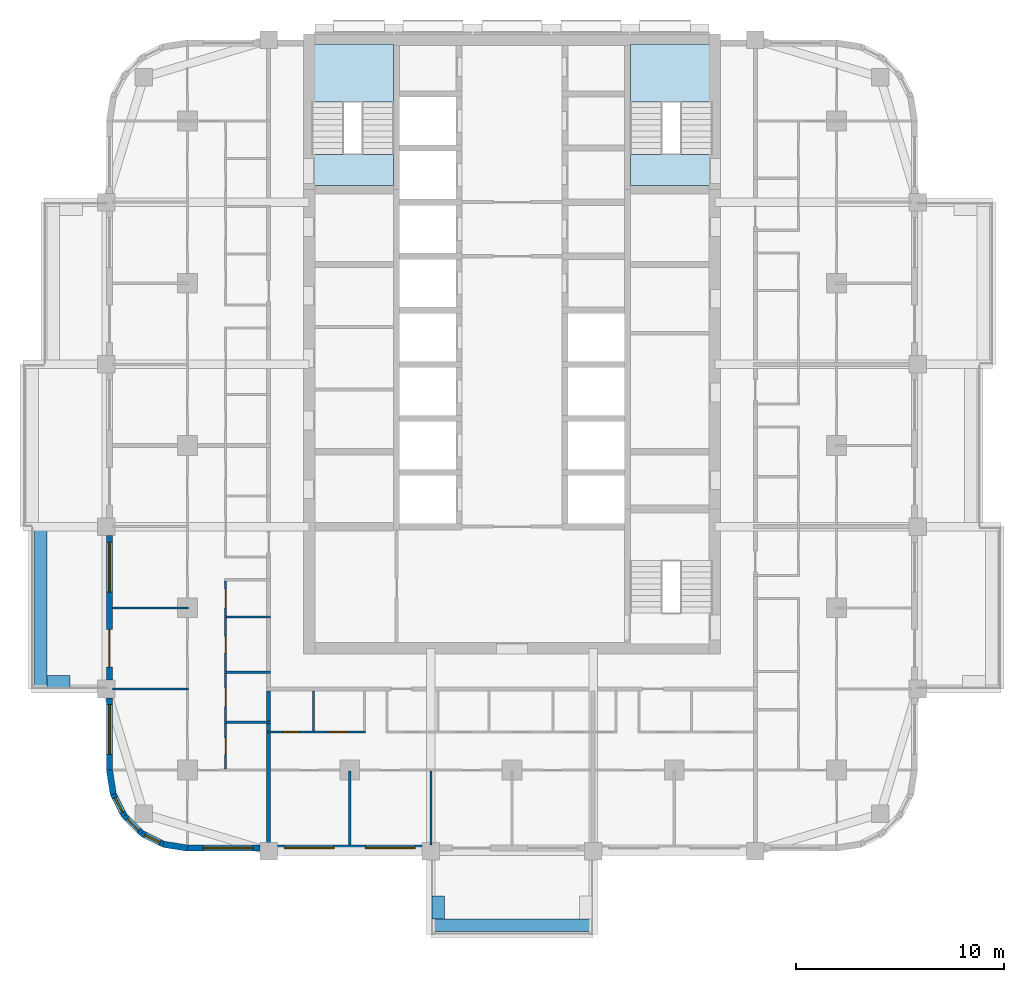
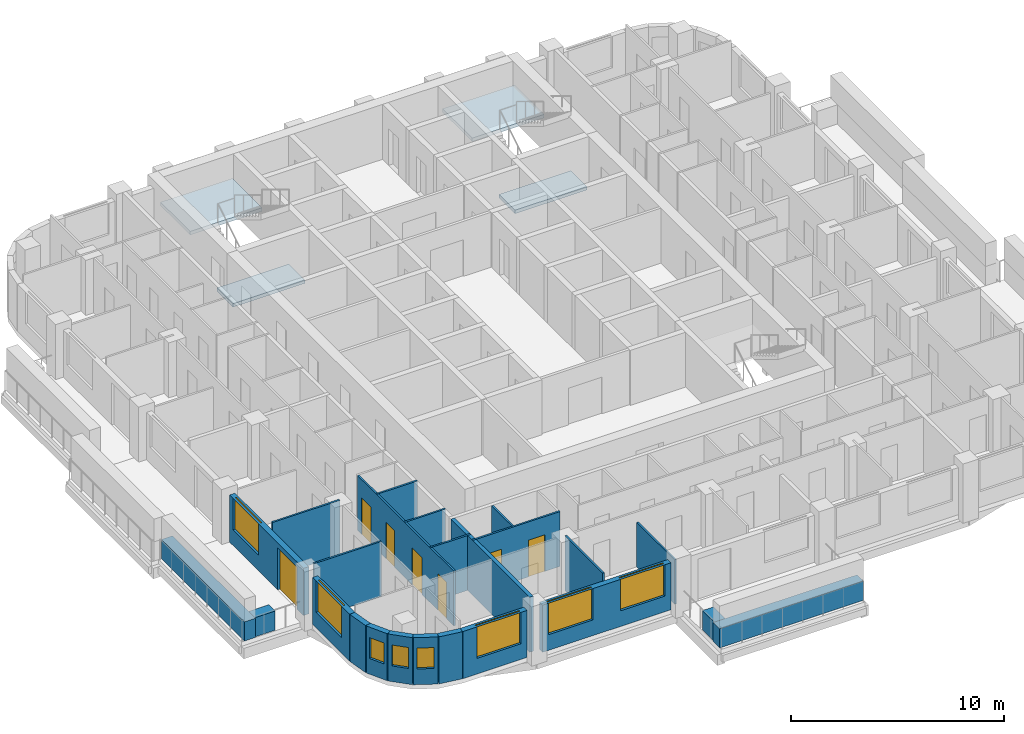
# One storey, part 2 of 14: 24 walls, 8 windows, 7 doors, 4 slabs, 15 openings, 2 elements without a shape of their own.
"""IFC4 building model written with IfcOpenShell, lengths in metres."""

from ifc_helpers import new_model, si_unit, direction, frame, frame_2d, origin, place, context, subcontext, project, spatial, polyline, rectangle, outline, extrude, material, layer, layer_set, type_object, element, fill, aggregate, save


model = new_model("IFC4")

# Units and contexts
model_context = context("Model", 3, precision=1e-05, world=origin(), true_north=direction((0.0, 1.0)))
body_context = subcontext(model_context, "Body", "Model", "MODEL_VIEW")
ifc_project = project(units=[si_unit("LENGTHUNIT", "METRE"), si_unit("AREAUNIT", "SQUARE_METRE"), si_unit("VOLUMEUNIT", "CUBIC_METRE"), si_unit("PLANEANGLEUNIT", "RADIAN"), si_unit("MASSUNIT", "GRAM", prefix="KILO")], contexts=[model_context])

# Site, building, storey
site_placement = place(None, origin())
site = spatial("IfcSite", under=ifc_project, at=site_placement, CompositionType="ELEMENT")
building_placement = place(site_placement, origin())
building = spatial("IfcBuilding", under=site, at=building_placement, Name="Ludao Terraces", CompositionType="ELEMENT")
storey_placement = place(building_placement, frame((0.0, 0.0, 106.699951171875)))
storey = spatial("IfcBuildingStorey", under=building, at=storey_placement, Name="L29", CompositionType="ELEMENT", Elevation=106.699951171875)

# Stair, slabs
ifc_material_1 = material(Name="Concrete C40", Category="concrete")
stair_type = type_object("IfcStairType", Name="INT Stair", PredefinedType="HALF_TURN_STAIR", material=ifc_material_1)
stair_1_placement = place(storey_placement, origin())
stair_1 = element("IfcStair", 1, at=stair_1_placement, inside=storey, type_object=stair_type, Name="EXIT STAIR 1", PredefinedType="HALF_TURN_STAIR")
ifc_layer_1 = layer(ifc_material_1, 0.199951171875)
ifc_layer_set_1 = layer_set([ifc_layer_1], Name="INT Stair landing 200")
slab_type = type_object("IfcSlabType", Name="INT Stair landing 200", PredefinedType="LANDING", material=ifc_layer_set_1)
slab_1_placement = place(storey_placement, frame((0.0, 0.0, 1.5)))
slab_1 = element("IfcSlab", 2, at=slab_1_placement, type_object=slab_type, Name="ST1 landing 1", PredefinedType="LANDING", context=body_context, shape_type="SweptSolid", body=[
    extrude(outline(polyline([(75.39990234375, 81.52001953125), (79.300048828125, 81.52001953125), (79.300048828125, 84.300048828125), (75.39990234375, 84.300048828125), (75.39990234375, 81.52001953125)])), origin(), (0.0, 0.0, 1.0), 0.199951171875),
])
slab_2_placement = place(storey_placement, frame((0.0, 0.0, -0.199951171875)))
slab_2 = element("IfcSlab", 3, at=slab_2_placement, type_object=slab_type, Name="ST1 landing 2", PredefinedType="LANDING", context=body_context, shape_type="SweptSolid", body=[
    extrude(outline(polyline([(75.39990234375, 77.5), (79.300048828125, 77.5), (79.300048828125, 79.0), (75.39990234375, 79.0), (75.39990234375, 77.5)])), origin(), (0.0, 0.0, 1.0), 0.199951171875),
])
aggregate(stair_1, [slab_1, slab_2])

stair_2_placement = place(storey_placement, origin())
stair_2 = element("IfcStair", 4, at=stair_2_placement, inside=storey, type_object=stair_type, Name="EXIT STAIR 2", PredefinedType="HALF_TURN_STAIR")
slab_3_placement = place(storey_placement, frame((0.0, 0.0, 1.5)))
slab_3 = element("IfcSlab", 5, at=slab_3_placement, type_object=slab_type, Name="ST2 landing 1", PredefinedType="LANDING", context=body_context, shape_type="SweptSolid", body=[
    extrude(outline(polyline([(90.699951171875, 81.52001953125), (94.60009765625, 81.52001953125), (94.60009765625, 84.300048828125), (90.699951171875, 84.300048828125), (90.699951171875, 81.52001953125)])), origin(), (0.0, 0.0, 1.0), 0.199951171875),
])
slab_4_placement = place(storey_placement, frame((0.0, 0.0, -0.199951171875)))
slab_4 = element("IfcSlab", 6, at=slab_4_placement, type_object=slab_type, Name="ST2 landing 2", PredefinedType="LANDING", context=body_context, shape_type="SweptSolid", body=[
    extrude(outline(polyline([(90.699951171875, 77.5), (94.60009765625, 77.5), (94.60009765625, 79.0), (90.699951171875, 79.0), (90.699951171875, 77.5)])), origin(), (0.0, 0.0, 1.0), 0.199951171875),
])
aggregate(stair_2, [slab_3, slab_4])

# Walls
ifc_layer_2 = layer(ifc_material_1, 0.60009765625)
ifc_layer_set_2 = layer_set([ifc_layer_2], Name="ENV Planter trough 600")
wall_type_1 = type_object("IfcWallType", Name="ENV Planter trough 600", PredefinedType="USERDEFINED", material=ifc_layer_set_2)
wall_1_placement = place(storey_placement, frame((81.10009765625, 41.949951171875, 0.0), z_axis=(0.0, 0.0, 1.0), x_axis=(1.0, 0.0, 0.0)))
element("IfcWall", 7, at=wall_1_placement, inside=storey, type_object=wall_type_1, Name="PL-L29-S1", ObjectType="PLANTER", PredefinedType="USERDEFINED", context=body_context, shape_type="SweptSolid", body=[
    extrude(rectangle(XDim=7.7998046875, YDim=0.60009765625, at=frame_2d((3.89990234375, 0.0))), origin(), (0.0, 0.0, 1.0), 1.10009765625),
])
wall_2_placement = place(storey_placement, frame((81.449951171875, 42.25, 0.0), z_axis=(0.0, 0.0, 1.0), x_axis=(0.0, 1.0, 0.0)))
element("IfcWall", 8, at=wall_2_placement, inside=storey, type_object=wall_type_1, Name="PL-L29-S1-SA", ObjectType="PLANTER", PredefinedType="USERDEFINED", context=body_context, shape_type="SweptSolid", body=[
    extrude(rectangle(XDim=1.10009765625, YDim=0.60009765625, at=frame_2d((0.550048828125, 0.0))), origin(), (0.0, 0.0, 1.0), 1.10009765625),
])
wall_3_placement = place(storey_placement, frame((62.35009765625, 53.300048828125, 0.0), z_axis=(0.0, 0.0, 1.0), x_axis=(0.0, 1.0, 0.0)))
element("IfcWall", 9, at=wall_3_placement, inside=storey, type_object=wall_type_1, Name="PL-L29-W1", ObjectType="PLANTER", PredefinedType="USERDEFINED", context=body_context, shape_type="SweptSolid", body=[
    extrude(rectangle(XDim=7.800048828125, YDim=0.60009765625, at=frame_2d((3.89990234375, 0.0))), origin(), (0.0, 0.0, 1.0), 1.10009765625),
])
wall_4_placement = place(storey_placement, frame((62.64990234375, 53.64990234375, 0.0), z_axis=(0.0, 0.0, 1.0), x_axis=(1.0, 0.0, 0.0)))
element("IfcWall", 10, at=wall_4_placement, inside=storey, type_object=wall_type_1, Name="PL-L29-W1-SA", ObjectType="PLANTER", PredefinedType="USERDEFINED", context=body_context, shape_type="SweptSolid", body=[
    extrude(rectangle(XDim=1.10009765625, YDim=0.60009765625, at=frame_2d((0.550048828125, 0.0))), origin(), (0.0, 0.0, 1.0), 1.10009765625),
])

# Wall, opening, window
ifc_material_2 = material(Name="Granite cladding", Category="masonry")
ifc_layer_3 = layer(ifc_material_2, 0.0400390625, Category="stone")
ifc_material_3 = material(Name="Mineral wool")
ifc_layer_4 = layer(ifc_material_3, 0.06005859375)
ifc_layer_5 = layer(ifc_material_1, 0.199951171875, Category="concrete")
ifc_layer_set_3 = layer_set([ifc_layer_3, ifc_layer_4, ifc_layer_5], Name="ENV Stone-clad wall 300")
wall_type_2 = type_object("IfcWallType", Name="ENV Stone-clad wall 300", PredefinedType="SOLIDWALL", material=ifc_layer_set_3)
wall_5_placement = place(storey_placement, frame((69.39990234375, 45.64990234375, 0.0), z_axis=(0.0, 0.0, 1.0), x_axis=(1.0, 0.0, 0.0)))
wall_5 = element("IfcWall", 11, at=wall_5_placement, inside=storey, type_object=wall_type_2, Name="EW-L29-S1", PredefinedType="SOLIDWALL", context=body_context, shape_type="SweptSolid", body=[
    extrude(rectangle(XDim=3.47509765625, YDim=0.300048828125, at=frame_2d((1.737548828125, 0.0))), origin(), (0.0, 0.0, 1.0), 2.699951171875),
])
opening_1_placement = place(wall_5_placement, frame((0.75, 0.0, 0.89990234375)))
opening_1 = element("IfcOpeningElement", 12, at=opening_1_placement, cuts=wall_5, Name="Opening W1", PredefinedType="OPENING", context=body_context, shape_type="SweptSolid", body=[
    extrude(rectangle(XDim=2.39990234375, YDim=1.800048828125, at=frame_2d((1.199951171875, 0.89990234375))), frame((0.0, 0.16015625, 0.0), z_axis=(0.0, -1.0, 0.0), x_axis=(1.0, 0.0, 0.0)), (0.0, 0.0, 1.0), 0.320068359375),
])
ifc_material_4 = material(Name="Clear glass in aluminium frame", Category="aluminium")
ifc_layer_6 = layer(ifc_material_4, 0.06005859375)
ifc_layer_set_4 = layer_set([ifc_layer_6], Name="ENV Window W1 2400x1800")
window_type_1 = type_object("IfcWindowType", Name="ENV Window W1 2400x1800", PartitioningType="DOUBLE_PANEL_VERTICAL", PredefinedType="WINDOW", material=ifc_layer_set_4)
window_1_placement = place(opening_1_placement, origin())
window_1 = element("IfcWindow", 13, at=window_1_placement, inside=storey, type_object=window_type_1, Name="W-L29-S1-1", OverallHeight=1.800048828125, OverallWidth=2.39990234375, PartitioningType="DOUBLE_PANEL_VERTICAL", PredefinedType="WINDOW", context=body_context, shape_type="SweptSolid", body=[
    extrude(rectangle(XDim=2.39990234375, YDim=1.800048828125, at=frame_2d((1.199951171875, 0.89990234375))), frame((0.0, 0.030029296875, 0.0), z_axis=(0.0, -1.0, 0.0), x_axis=(1.0, 0.0, 0.0)), (0.0, 0.0, 1.0), 0.06005859375),
])
fill(opening_1, window_1)

# Wall, openings, windows
wall_6_placement = place(storey_placement, frame((73.72509765625, 45.64990234375, 0.0), z_axis=(0.0, 0.0, 1.0), x_axis=(1.0, 0.0, 0.0)))
wall_6 = element("IfcWall", 14, at=wall_6_placement, inside=storey, type_object=wall_type_2, Name="EW-L29-S2", PredefinedType="SOLIDWALL", context=body_context, shape_type="SweptSolid", body=[
    extrude(rectangle(XDim=6.949951171875, YDim=0.300048828125, at=frame_2d((3.47509765625, 0.0))), origin(), (0.0, 0.0, 1.0), 2.699951171875),
])
opening_2_placement = place(wall_6_placement, frame((0.324951171875, 0.0, 0.89990234375)))
opening_2 = element("IfcOpeningElement", 15, at=opening_2_placement, cuts=wall_6, Name="Opening W1", PredefinedType="OPENING", context=body_context, shape_type="SweptSolid", body=[
    extrude(rectangle(XDim=2.39990234375, YDim=1.800048828125, at=frame_2d((1.199951171875, 0.89990234375))), frame((0.0, 0.16015625, 0.0), z_axis=(0.0, -1.0, 0.0), x_axis=(1.0, 0.0, 0.0)), (0.0, 0.0, 1.0), 0.320068359375),
])
opening_3_placement = place(wall_6_placement, frame((4.22509765625, 0.0, 0.89990234375)))
opening_3 = element("IfcOpeningElement", 16, at=opening_3_placement, cuts=wall_6, Name="Opening W1", PredefinedType="OPENING", context=body_context, shape_type="SweptSolid", body=[
    extrude(rectangle(XDim=2.39990234375, YDim=1.800048828125, at=frame_2d((1.199951171875, 0.89990234375))), frame((0.0, 0.16015625, 0.0), z_axis=(0.0, -1.0, 0.0), x_axis=(1.0, 0.0, 0.0)), (0.0, 0.0, 1.0), 0.320068359375),
])
window_2_placement = place(opening_2_placement, origin())
window_2 = element("IfcWindow", 17, at=window_2_placement, inside=storey, type_object=window_type_1, Name="W-L29-S2-1", OverallHeight=1.800048828125, OverallWidth=2.39990234375, PartitioningType="DOUBLE_PANEL_VERTICAL", PredefinedType="WINDOW", context=body_context, shape_type="SweptSolid", body=[
    extrude(rectangle(XDim=2.39990234375, YDim=1.800048828125, at=frame_2d((1.199951171875, 0.89990234375))), frame((0.0, 0.030029296875, 0.0), z_axis=(0.0, -1.0, 0.0), x_axis=(1.0, 0.0, 0.0)), (0.0, 0.0, 1.0), 0.06005859375),
])
fill(opening_2, window_2)
window_3_placement = place(opening_3_placement, origin())
window_3 = element("IfcWindow", 18, at=window_3_placement, inside=storey, type_object=window_type_1, Name="W-L29-S2-2", OverallHeight=1.800048828125, OverallWidth=2.39990234375, PartitioningType="DOUBLE_PANEL_VERTICAL", PredefinedType="WINDOW", context=body_context, shape_type="SweptSolid", body=[
    extrude(rectangle(XDim=2.39990234375, YDim=1.800048828125, at=frame_2d((1.199951171875, 0.89990234375))), frame((0.0, 0.030029296875, 0.0), z_axis=(0.0, -1.0, 0.0), x_axis=(1.0, 0.0, 0.0)), (0.0, 0.0, 1.0), 0.06005859375),
])
fill(opening_3, window_3)

# Wall, opening, window
wall_7_placement = place(storey_placement, frame((65.64990234375, 49.39990234375, 0.0), z_axis=(0.0, 0.0, 1.0), x_axis=(0.0, 1.0, 0.0)))
wall_7 = element("IfcWall", 19, at=wall_7_placement, inside=storey, type_object=wall_type_2, Name="EW-L29-W1", PredefinedType="SOLIDWALL", context=body_context, shape_type="SweptSolid", body=[
    extrude(rectangle(XDim=3.47509765625, YDim=0.300048828125, at=frame_2d((1.737548828125, 0.0))), origin(), (0.0, 0.0, 1.0), 2.699951171875),
])
opening_4_placement = place(wall_7_placement, frame((0.75, 0.0, 0.89990234375)))
opening_4 = element("IfcOpeningElement", 20, at=opening_4_placement, cuts=wall_7, Name="Opening W1", PredefinedType="OPENING", context=body_context, shape_type="SweptSolid", body=[
    extrude(rectangle(XDim=2.39990234375, YDim=1.800048828125, at=frame_2d((1.199951171875, 0.89990234375))), frame((0.0, 0.16015625, 0.0), z_axis=(0.0, -1.0, 0.0), x_axis=(1.0, 0.0, 0.0)), (0.0, 0.0, 1.0), 0.320068359375),
])
window_4_placement = place(opening_4_placement, origin())
window_4 = element("IfcWindow", 21, at=window_4_placement, inside=storey, type_object=window_type_1, Name="W-L29-W1-1", OverallHeight=1.800048828125, OverallWidth=2.39990234375, PartitioningType="DOUBLE_PANEL_VERTICAL", PredefinedType="WINDOW", context=body_context, shape_type="SweptSolid", body=[
    extrude(rectangle(XDim=2.39990234375, YDim=1.800048828125, at=frame_2d((1.199951171875, 0.89990234375))), frame((0.0, 0.030029296875, 0.0), z_axis=(0.0, -1.0, 0.0), x_axis=(1.0, 0.0, 0.0)), (0.0, 0.0, 1.0), 0.06005859375),
])
fill(opening_4, window_4)

# Wall, openings, door, window
wall_8_placement = place(storey_placement, frame((65.64990234375, 53.72509765625, 0.0), z_axis=(0.0, 0.0, 1.0), x_axis=(0.0, 1.0, 0.0)))
wall_8 = element("IfcWall", 22, at=wall_8_placement, inside=storey, type_object=wall_type_2, Name="EW-L29-W2", PredefinedType="SOLIDWALL", context=body_context, shape_type="SweptSolid", body=[
    extrude(rectangle(XDim=6.949951171875, YDim=0.300048828125, at=frame_2d((3.47509765625, 0.0))), origin(), (0.0, 0.0, 1.0), 2.699951171875),
])
opening_5_placement = place(wall_8_placement, frame((0.625, 0.0, 0.0)))
opening_5 = element("IfcOpeningElement", 23, at=opening_5_placement, cuts=wall_8, Name="Opening BD", PredefinedType="OPENING", context=body_context, shape_type="SweptSolid", body=[
    extrude(rectangle(XDim=1.800048828125, YDim=2.39990234375, at=frame_2d((0.89990234375, 1.199951171875))), frame((0.0, 0.16015625, 0.0), z_axis=(0.0, -1.0, 0.0), x_axis=(1.0, 0.0, 0.0)), (0.0, 0.0, 1.0), 0.320068359375),
])
opening_6_placement = place(wall_8_placement, frame((4.22509765625, 0.0, 0.89990234375)))
opening_6 = element("IfcOpeningElement", 24, at=opening_6_placement, cuts=wall_8, Name="Opening W1", PredefinedType="OPENING", context=body_context, shape_type="SweptSolid", body=[
    extrude(rectangle(XDim=2.39990234375, YDim=1.800048828125, at=frame_2d((1.199951171875, 0.89990234375))), frame((0.0, 0.16015625, 0.0), z_axis=(0.0, -1.0, 0.0), x_axis=(1.0, 0.0, 0.0)), (0.0, 0.0, 1.0), 0.320068359375),
])
ifc_material_5 = material(Name="Aluminium glazed door", Category="aluminium")
ifc_layer_7 = layer(ifc_material_5, 0.06005859375)
ifc_layer_set_5 = layer_set([ifc_layer_7], Name="ENV Balcony door BD 1800x2400")
door_type_1 = type_object("IfcDoorType", Name="ENV Balcony door BD 1800x2400", OperationType="DOUBLE_DOOR_SINGLE_SWING", PredefinedType="DOOR", material=ifc_layer_set_5)
door_1_placement = place(opening_5_placement, origin())
door_1 = element("IfcDoor", 25, at=door_1_placement, inside=storey, type_object=door_type_1, Name="BD-L29-W2-1", OperationType="DOUBLE_DOOR_SINGLE_SWING", OverallHeight=2.39990234375, OverallWidth=1.800048828125, PredefinedType="DOOR", context=body_context, shape_type="SweptSolid", body=[
    extrude(rectangle(XDim=1.800048828125, YDim=2.39990234375, at=frame_2d((0.89990234375, 1.199951171875))), frame((0.0, 0.02490234375, 0.0), z_axis=(0.0, -1.0, 0.0), x_axis=(1.0, 0.0, 0.0)), (0.0, 0.0, 1.0), 0.050048828125),
])
fill(opening_5, door_1)
window_5_placement = place(opening_6_placement, origin())
window_5 = element("IfcWindow", 26, at=window_5_placement, inside=storey, type_object=window_type_1, Name="W-L29-W2-2", OverallHeight=1.800048828125, OverallWidth=2.39990234375, PartitioningType="DOUBLE_PANEL_VERTICAL", PredefinedType="WINDOW", context=body_context, shape_type="SweptSolid", body=[
    extrude(rectangle(XDim=2.39990234375, YDim=1.800048828125, at=frame_2d((1.199951171875, 0.89990234375))), frame((0.0, 0.030029296875, 0.0), z_axis=(0.0, -1.0, 0.0), x_axis=(1.0, 0.0, 0.0)), (0.0, 0.0, 1.0), 0.06005859375),
])
fill(opening_6, window_5)

# Wall
wall_9_placement = place(storey_placement, frame((65.64990234375, 49.39990234375, 0.0), z_axis=(0.0, 0.0, 1.0), x_axis=(0.156496880861, -0.987678452879, 0.0)))
element("IfcWall", 27, at=wall_9_placement, inside=storey, type_object=wall_type_2, Name="EW-L29-SW1", PredefinedType="SOLIDWALL", context=body_context, shape_type="SweptSolid", body=[
    extrude(rectangle(XDim=1.173095703125, YDim=0.300048828125, at=frame_2d((0.58642578125, 0.0))), origin(), (0.0, 0.0, 1.0), 2.699951171875),
])

# Wall, opening, window
wall_10_placement = place(storey_placement, frame((65.83349609375, 48.2412109375, 0.0), z_axis=(0.0, 0.0, 1.0), x_axis=(0.454025524128, -0.890988677504, 0.0)))
wall_10 = element("IfcWall", 28, at=wall_10_placement, inside=storey, type_object=wall_type_2, Name="EW-L29-SW2", PredefinedType="SOLIDWALL", context=body_context, shape_type="SweptSolid", body=[
    extrude(rectangle(XDim=1.17333984375, YDim=0.300048828125, at=frame_2d((0.586669921875, 0.0))), origin(), (0.0, 0.0, 1.0), 2.699951171875),
])
opening_7_placement = place(wall_10_placement, frame((0.1865234375, 0.0, 0.89990234375)))
opening_7 = element("IfcOpeningElement", 29, at=opening_7_placement, cuts=wall_10, Name="Opening W3", PredefinedType="OPENING", context=body_context, shape_type="SweptSolid", body=[
    extrude(rectangle(XDim=0.800048828125, YDim=1.199951171875, at=frame_2d((0.39990234375, 0.60009765625))), frame((0.0, 0.16015625, 0.0), z_axis=(0.0, -1.0, 0.0), x_axis=(1.0, 0.0, 0.0)), (0.0, 0.0, 1.0), 0.320068359375),
])
ifc_layer_8 = layer(ifc_material_4, 0.06005859375)
ifc_layer_set_6 = layer_set([ifc_layer_8], Name="ENV Window W3 800x1200")
window_type_2 = type_object("IfcWindowType", Name="ENV Window W3 800x1200", PartitioningType="SINGLE_PANEL", PredefinedType="WINDOW", material=ifc_layer_set_6)
window_6_placement = place(opening_7_placement, origin())
window_6 = element("IfcWindow", 30, at=window_6_placement, inside=storey, type_object=window_type_2, Name="W-L29-SW2", OverallHeight=1.199951171875, OverallWidth=0.800048828125, PartitioningType="SINGLE_PANEL", PredefinedType="WINDOW", context=body_context, shape_type="SweptSolid", body=[
    extrude(rectangle(XDim=0.800048828125, YDim=1.199951171875, at=frame_2d((0.39990234375, 0.60009765625))), frame((0.0, 0.030029296875, 0.0), z_axis=(0.0, -1.0, 0.0), x_axis=(1.0, 0.0, 0.0)), (0.0, 0.0, 1.0), 0.06005859375),
])
fill(opening_7, window_6)

wall_11_placement = place(storey_placement, frame((66.3662109375, 47.19580078125, 0.0), z_axis=(0.0, 0.0, 1.0), x_axis=(0.707106781187, -0.707106781187, 0.0)))
wall_11 = element("IfcWall", 31, at=wall_11_placement, inside=storey, type_object=wall_type_2, Name="EW-L29-SW3", PredefinedType="SOLIDWALL", context=body_context, shape_type="SweptSolid", body=[
    extrude(rectangle(XDim=1.173095703125, YDim=0.300048828125, at=frame_2d((0.58642578125, 0.0))), origin(), (0.0, 0.0, 1.0), 2.699951171875),
])
opening_8_placement = place(wall_11_placement, frame((0.1865234375, 0.0, 0.89990234375)))
opening_8 = element("IfcOpeningElement", 32, at=opening_8_placement, cuts=wall_11, Name="Opening W3", PredefinedType="OPENING", context=body_context, shape_type="SweptSolid", body=[
    extrude(rectangle(XDim=0.800048828125, YDim=1.199951171875, at=frame_2d((0.39990234375, 0.60009765625))), frame((0.0, 0.16015625, 0.0), z_axis=(0.0, -1.0, 0.0), x_axis=(1.0, 0.0, 0.0)), (0.0, 0.0, 1.0), 0.320068359375),
])
window_7_placement = place(opening_8_placement, origin())
window_7 = element("IfcWindow", 33, at=window_7_placement, inside=storey, type_object=window_type_2, Name="W-L29-SW3", OverallHeight=1.199951171875, OverallWidth=0.800048828125, PartitioningType="SINGLE_PANEL", PredefinedType="WINDOW", context=body_context, shape_type="SweptSolid", body=[
    extrude(rectangle(XDim=0.800048828125, YDim=1.199951171875, at=frame_2d((0.39990234375, 0.60009765625))), frame((0.0, 0.030029296875, 0.0), z_axis=(0.0, -1.0, 0.0), x_axis=(1.0, 0.0, 0.0)), (0.0, 0.0, 1.0), 0.06005859375),
])
fill(opening_8, window_7)

wall_12_placement = place(storey_placement, frame((67.19580078125, 46.3662109375, 0.0), z_axis=(0.0, 0.0, 1.0), x_axis=(0.890988677504, -0.454025524128, 0.0)))
wall_12 = element("IfcWall", 34, at=wall_12_placement, inside=storey, type_object=wall_type_2, Name="EW-L29-SW4", PredefinedType="SOLIDWALL", context=body_context, shape_type="SweptSolid", body=[
    extrude(rectangle(XDim=1.17333984375, YDim=0.300048828125, at=frame_2d((0.586669921875, 0.0))), origin(), (0.0, 0.0, 1.0), 2.699951171875),
])
opening_9_placement = place(wall_12_placement, frame((0.1865234375, 0.0, 0.89990234375)))
opening_9 = element("IfcOpeningElement", 35, at=opening_9_placement, cuts=wall_12, Name="Opening W3", PredefinedType="OPENING", context=body_context, shape_type="SweptSolid", body=[
    extrude(rectangle(XDim=0.800048828125, YDim=1.199951171875, at=frame_2d((0.39990234375, 0.60009765625))), frame((0.0, 0.16015625, 0.0), z_axis=(0.0, -1.0, 0.0), x_axis=(1.0, 0.0, 0.0)), (0.0, 0.0, 1.0), 0.320068359375),
])
window_8_placement = place(opening_9_placement, origin())
window_8 = element("IfcWindow", 36, at=window_8_placement, inside=storey, type_object=window_type_2, Name="W-L29-SW4", OverallHeight=1.199951171875, OverallWidth=0.800048828125, PartitioningType="SINGLE_PANEL", PredefinedType="WINDOW", context=body_context, shape_type="SweptSolid", body=[
    extrude(rectangle(XDim=0.800048828125, YDim=1.199951171875, at=frame_2d((0.39990234375, 0.60009765625))), frame((0.0, 0.030029296875, 0.0), z_axis=(0.0, -1.0, 0.0), x_axis=(1.0, 0.0, 0.0)), (0.0, 0.0, 1.0), 0.06005859375),
])
fill(opening_9, window_8)

# Wall
wall_13_placement = place(storey_placement, frame((68.2412109375, 45.83349609375, 0.0), z_axis=(0.0, 0.0, 1.0), x_axis=(0.987678452879, -0.156496880861, 0.0)))
element("IfcWall", 37, at=wall_13_placement, inside=storey, type_object=wall_type_2, Name="EW-L29-SW5", PredefinedType="SOLIDWALL", context=body_context, shape_type="SweptSolid", body=[
    extrude(rectangle(XDim=1.173095703125, YDim=0.300048828125, at=frame_2d((0.58642578125, 0.0))), origin(), (0.0, 0.0, 1.0), 2.699951171875),
])

# Wall, openings, doors
ifc_material_6 = material(Name="Gypsum plasterboard", Category="gypsum")
ifc_layer_9 = layer(ifc_material_6, 0.012451171875, Category="gypsum")
ifc_layer_10 = layer(ifc_material_3, 0.06005859375, Name="insulation")
ifc_material_7 = material(Name="Steel Q235", Category="steel")
ifc_layer_11 = layer(ifc_material_7, 0.014892578125, Name="stud")
ifc_layer_12 = layer(ifc_material_6, 0.012451171875, Category="gypsum")
ifc_layer_set_7 = layer_set([ifc_layer_9, ifc_layer_10, ifc_layer_11, ifc_layer_12], Name="INT Partition 100")
wall_type_3 = type_object("IfcWallType", Name="INT Partition 100", PredefinedType="PARTITIONING", material=ifc_layer_set_7)
wall_14_placement = place(storey_placement, frame((73.2001953125, 51.22998046875, 0.0), z_axis=(0.0, 0.0, 1.0), x_axis=(1.0, 0.0, 0.0)))
wall_14 = element("IfcWall", 38, at=wall_14_placement, inside=storey, type_object=wall_type_3, Name="PW-L29-PW001", PredefinedType="PARTITIONING", context=body_context, shape_type="SweptSolid", body=[
    extrude(rectangle(XDim=4.75, YDim=0.10009765625, at=frame_2d((2.375, 0.0))), origin(), (0.0, 0.0, 1.0), 3.150146484375),
])
opening_10_placement = place(wall_14_placement, frame((0.77490234375, 0.0, 0.0)))
opening_10 = element("IfcOpeningElement", 39, at=opening_10_placement, cuts=wall_14, Name="Opening R08-013", PredefinedType="OPENING", context=body_context, shape_type="SweptSolid", body=[
    extrude(rectangle(XDim=0.800048828125, YDim=2.10009765625, at=frame_2d((0.39990234375, 1.050048828125))), frame((0.0, 0.06005859375, 0.0), z_axis=(0.0, -1.0, 0.0), x_axis=(1.0, 0.0, 0.0)), (0.0, 0.0, 1.0), 0.1201171875),
])
opening_11_placement = place(wall_14_placement, frame((3.02490234375, 0.0, 0.0)))
opening_11 = element("IfcOpeningElement", 40, at=opening_11_placement, cuts=wall_14, Name="Opening R08-014", PredefinedType="OPENING", context=body_context, shape_type="SweptSolid", body=[
    extrude(rectangle(XDim=0.89990234375, YDim=2.10009765625, at=frame_2d((0.449951171875, 1.050048828125))), frame((0.0, 0.06005859375, 0.0), z_axis=(0.0, -1.0, 0.0), x_axis=(1.0, 0.0, 0.0)), (0.0, 0.0, 1.0), 0.1201171875),
])
ifc_material_8 = material(Name="Timber door leaf", Category="wood")
door_type_2 = type_object("IfcDoorType", Name="INT Bathroom door 900", OperationType="SINGLE_SWING_LEFT", PredefinedType="DOOR", material=ifc_material_8)
door_2_placement = place(opening_11_placement, origin())
door_2 = element("IfcDoor", 41, at=door_2_placement, inside=storey, type_object=door_type_2, Name="DOOR 014", OperationType="SINGLE_SWING_RIGHT", OverallHeight=2.10009765625, OverallWidth=0.89990234375, PredefinedType="DOOR", context=body_context, shape_type="SweptSolid", body=[
    extrude(rectangle(XDim=0.89990234375, YDim=2.10009765625, at=frame_2d((0.449951171875, 1.050048828125))), frame((0.0, 0.02490234375, 0.0), z_axis=(0.0, -1.0, 0.0), x_axis=(1.0, 0.0, 0.0)), (0.0, 0.0, 1.0), 0.050048828125),
])
fill(opening_11, door_2)
door_type_3 = type_object("IfcDoorType", Name="INT Store door 800", OperationType="SINGLE_SWING_LEFT", PredefinedType="DOOR", material=ifc_material_8)
door_3_placement = place(opening_10_placement, origin())
door_3 = element("IfcDoor", 42, at=door_3_placement, inside=storey, type_object=door_type_3, Name="DOOR 013", OperationType="SINGLE_SWING_LEFT", OverallHeight=2.10009765625, OverallWidth=0.800048828125, PredefinedType="DOOR", context=body_context, shape_type="SweptSolid", body=[
    extrude(rectangle(XDim=0.800048828125, YDim=2.10009765625, at=frame_2d((0.39990234375, 1.050048828125))), frame((0.0, 0.02490234375, 0.0), z_axis=(0.0, -1.0, 0.0), x_axis=(1.0, 0.0, 0.0)), (0.0, 0.0, 1.0), 0.050048828125),
])
fill(opening_10, door_3)

# Walls
wall_15_placement = place(storey_placement, frame((71.18017578125, 51.699951171875, 0.0), z_axis=(0.0, 0.0, 1.0), x_axis=(1.0, 0.0, 0.0)))
element("IfcWall", 43, at=wall_15_placement, inside=storey, type_object=wall_type_3, Name="PW-L29-PW004", PredefinedType="PARTITIONING", context=body_context, shape_type="SweptSolid", body=[
    extrude(rectangle(XDim=2.219970703125, YDim=0.10009765625, at=frame_2d((1.10986328125, 0.0))), origin(), (0.0, 0.0, 1.0), 3.150146484375),
])
wall_16_placement = place(storey_placement, frame((65.800048828125, 53.300048828125, 0.0), z_axis=(0.0, 0.0, 1.0), x_axis=(1.0, 0.0, 0.0)))
element("IfcWall", 44, at=wall_16_placement, inside=storey, type_object=wall_type_3, Name="PW-L29-PW006", PredefinedType="PARTITIONING", context=body_context, shape_type="SweptSolid", body=[
    extrude(rectangle(XDim=3.650146484375, YDim=0.10009765625, at=frame_2d((1.8251953125, 0.0))), origin(), (0.0, 0.0, 1.0), 3.150146484375),
])
for number, where, z_axis, x_axis, name in (
    (45, (71.18017578125, 54.10009765625, 0.0), (0.0, 0.0, 1.0), (1.0, 0.0, 0.0), "PW-L29-PW009"),
    (46, (71.18017578125, 56.75, 0.0), (0.0, 0.0, 1.0), (1.0, 0.0, 0.0), "PW-L29-PW011"),
):
    element("IfcWall", number, at=place(storey_placement, frame(where, z_axis=z_axis, x_axis=x_axis)), inside=storey, type_object=wall_type_3, Name=name, PredefinedType="PARTITIONING", context=body_context, shape_type="SweptSolid", body=[
        extrude(rectangle(XDim=2.219970703125, YDim=0.10009765625, at=frame_2d((1.10986328125, 0.0))), origin(), (0.0, 0.0, 1.0), 3.150146484375),
    ])
wall_17_placement = place(storey_placement, frame((65.800048828125, 57.199951171875, 0.0), z_axis=(0.0, 0.0, 1.0), x_axis=(1.0, 0.0, 0.0)))
element("IfcWall", 47, at=wall_17_placement, inside=storey, type_object=wall_type_3, Name="PW-L29-PW012", PredefinedType="PARTITIONING", context=body_context, shape_type="SweptSolid", body=[
    extrude(rectangle(XDim=3.650146484375, YDim=0.10009765625, at=frame_2d((1.8251953125, 0.0))), origin(), (0.0, 0.0, 1.0), 3.150146484375),
])

# Wall, openings, doors
wall_18_placement = place(storey_placement, frame((71.22998046875, 49.4501953125, 0.0), z_axis=(0.0, 0.0, 1.0), x_axis=(0.0, 1.0, 0.0)))
wall_18 = element("IfcWall", 48, at=wall_18_placement, inside=storey, type_object=wall_type_3, Name="PW-L29-PW051", PredefinedType="PARTITIONING", context=body_context, shape_type="SweptSolid", body=[
    extrude(rectangle(XDim=9.0498046875, YDim=0.10009765625, at=frame_2d((4.52490234375, 0.0))), origin(), (0.0, 0.0, 1.0), 3.150146484375),
])
opening_12_placement = place(wall_18_placement, frame((0.699951171875, 0.0, 0.0)))
opening_12 = element("IfcOpeningElement", 49, at=opening_12_placement, cuts=wall_18, Name="Opening R08-011", PredefinedType="OPENING", context=body_context, shape_type="SweptSolid", body=[
    extrude(rectangle(XDim=0.800048828125, YDim=2.10009765625, at=frame_2d((0.39990234375, 1.050048828125))), frame((0.0, 0.06005859375, 0.0), z_axis=(0.0, -1.0, 0.0), x_axis=(1.0, 0.0, 0.0)), (0.0, 0.0, 1.0), 0.1201171875),
])
opening_13_placement = place(wall_18_placement, frame((3.0, 0.0, 0.0)))
opening_13 = element("IfcOpeningElement", 50, at=opening_13_placement, cuts=wall_18, Name="Opening R08-024", PredefinedType="OPENING", context=body_context, shape_type="SweptSolid", body=[
    extrude(rectangle(XDim=0.89990234375, YDim=2.10009765625, at=frame_2d((0.449951171875, 1.050048828125))), frame((0.0, 0.06005859375, 0.0), z_axis=(0.0, -1.0, 0.0), x_axis=(1.0, 0.0, 0.0)), (0.0, 0.0, 1.0), 0.1201171875),
])
opening_14_placement = place(wall_18_placement, frame((5.574951171875, 0.0, 0.0)))
opening_14 = element("IfcOpeningElement", 51, at=opening_14_placement, cuts=wall_18, Name="Opening R08-031", PredefinedType="OPENING", context=body_context, shape_type="SweptSolid", body=[
    extrude(rectangle(XDim=0.800048828125, YDim=2.10009765625, at=frame_2d((0.39990234375, 1.050048828125))), frame((0.0, 0.06005859375, 0.0), z_axis=(0.0, -1.0, 0.0), x_axis=(1.0, 0.0, 0.0)), (0.0, 0.0, 1.0), 0.1201171875),
])
opening_15_placement = place(wall_18_placement, frame((7.75, 0.0, 0.0)))
opening_15 = element("IfcOpeningElement", 52, at=opening_15_placement, cuts=wall_18, Name="Opening R08-035", PredefinedType="OPENING", context=body_context, shape_type="SweptSolid", body=[
    extrude(rectangle(XDim=0.89990234375, YDim=2.10009765625, at=frame_2d((0.449951171875, 1.050048828125))), frame((0.0, 0.06005859375, 0.0), z_axis=(0.0, -1.0, 0.0), x_axis=(1.0, 0.0, 0.0)), (0.0, 0.0, 1.0), 0.1201171875),
])
door_4_placement = place(opening_13_placement, origin())
door_4 = element("IfcDoor", 53, at=door_4_placement, inside=storey, type_object=door_type_2, Name="DOOR 024", OperationType="SINGLE_SWING_RIGHT", OverallHeight=2.10009765625, OverallWidth=0.89990234375, PredefinedType="DOOR", context=body_context, shape_type="SweptSolid", body=[
    extrude(rectangle(XDim=0.89990234375, YDim=2.10009765625, at=frame_2d((0.449951171875, 1.050048828125))), frame((0.0, 0.02490234375, 0.0), z_axis=(0.0, -1.0, 0.0), x_axis=(1.0, 0.0, 0.0)), (0.0, 0.0, 1.0), 0.050048828125),
])
fill(opening_13, door_4)
door_5_placement = place(opening_15_placement, origin())
door_5 = element("IfcDoor", 54, at=door_5_placement, inside=storey, type_object=door_type_2, Name="DOOR 035", OperationType="SINGLE_SWING_RIGHT", OverallHeight=2.10009765625, OverallWidth=0.89990234375, PredefinedType="DOOR", context=body_context, shape_type="SweptSolid", body=[
    extrude(rectangle(XDim=0.89990234375, YDim=2.10009765625, at=frame_2d((0.449951171875, 1.050048828125))), frame((0.0, 0.02490234375, 0.0), z_axis=(0.0, -1.0, 0.0), x_axis=(1.0, 0.0, 0.0)), (0.0, 0.0, 1.0), 0.050048828125),
])
fill(opening_15, door_5)
door_6_placement = place(opening_12_placement, origin())
door_6 = element("IfcDoor", 55, at=door_6_placement, inside=storey, type_object=door_type_3, Name="DOOR 011", OperationType="SINGLE_SWING_RIGHT", OverallHeight=2.10009765625, OverallWidth=0.800048828125, PredefinedType="DOOR", context=body_context, shape_type="SweptSolid", body=[
    extrude(rectangle(XDim=0.800048828125, YDim=2.10009765625, at=frame_2d((0.39990234375, 1.050048828125))), frame((0.0, 0.02490234375, 0.0), z_axis=(0.0, -1.0, 0.0), x_axis=(1.0, 0.0, 0.0)), (0.0, 0.0, 1.0), 0.050048828125),
])
fill(opening_12, door_6)
door_7_placement = place(opening_14_placement, origin())
door_7 = element("IfcDoor", 56, at=door_7_placement, inside=storey, type_object=door_type_3, Name="DOOR 031", OperationType="SINGLE_SWING_RIGHT", OverallHeight=2.10009765625, OverallWidth=0.800048828125, PredefinedType="DOOR", context=body_context, shape_type="SweptSolid", body=[
    extrude(rectangle(XDim=0.800048828125, YDim=2.10009765625, at=frame_2d((0.39990234375, 1.050048828125))), frame((0.0, 0.02490234375, 0.0), z_axis=(0.0, -1.0, 0.0), x_axis=(1.0, 0.0, 0.0)), (0.0, 0.0, 1.0), 0.050048828125),
])
fill(opening_14, door_7)

# Walls
wall_19_placement = place(storey_placement, frame((75.449951171875, 51.280029296875, 0.0), z_axis=(0.0, 0.0, 1.0), x_axis=(0.0, 1.0, 0.0)))
element("IfcWall", 57, at=wall_19_placement, inside=storey, type_object=wall_type_3, Name="PW-L29-PW056", PredefinedType="PARTITIONING", context=body_context, shape_type="SweptSolid", body=[
    extrude(rectangle(XDim=1.920166015625, YDim=0.10009765625, at=frame_2d((0.9599609375, 0.0))), origin(), (0.0, 0.0, 1.0), 3.150146484375),
])
wall_20_placement = place(storey_placement, frame((77.199951171875, 45.800048828125, 0.0), z_axis=(0.0, 0.0, 1.0), x_axis=(0.0, 1.0, 0.0)))
element("IfcWall", 58, at=wall_20_placement, inside=storey, type_object=wall_type_3, Name="PW-L29-PW057", PredefinedType="PARTITIONING", context=body_context, shape_type="SweptSolid", body=[
    extrude(rectangle(XDim=3.550048828125, YDim=0.10009765625, at=frame_2d((1.77490234375, 0.0))), origin(), (0.0, 0.0, 1.0), 3.150146484375),
])
wall_21_placement = place(storey_placement, frame((81.10009765625, 45.800048828125, 0.0), z_axis=(0.0, 0.0, 1.0), x_axis=(0.0, 1.0, 0.0)))
element("IfcWall", 59, at=wall_21_placement, inside=storey, type_object=wall_type_3, Name="PW-L29-PW061", PredefinedType="PARTITIONING", context=body_context, shape_type="SweptSolid", body=[
    extrude(rectangle(XDim=3.550048828125, YDim=0.10009765625, at=frame_2d((1.77490234375, 0.0))), origin(), (0.0, 0.0, 1.0), 2.550048828125),
])
ifc_material_9 = material(Name="Autoclaved aerated concrete block B06 A3.5", Category="concrete")
ifc_layer_13 = layer(ifc_material_9, 0.199951171875)
ifc_layer_set_8 = layer_set([ifc_layer_13], Name="INT Party wall 200")
wall_type_4 = type_object("IfcWallType", Name="INT Party wall 200", PredefinedType="PARTITIONING", material=ifc_layer_set_8)
wall_22_placement = place(storey_placement, frame((73.300048828125, 45.800048828125, 0.0), z_axis=(0.0, 0.0, 1.0), x_axis=(0.0, 1.0, 0.0)))
element("IfcWall", 60, at=wall_22_placement, inside=storey, type_object=wall_type_4, Name="PW-L29-PW054", PredefinedType="PARTITIONING", context=body_context, shape_type="SweptSolid", body=[
    extrude(rectangle(XDim=7.400146484375, YDim=0.199951171875, at=frame_2d((3.7001953125, 0.0))), origin(), (0.0, 0.0, 1.0), 3.150146484375),
])

save(model, "model.ifc")
